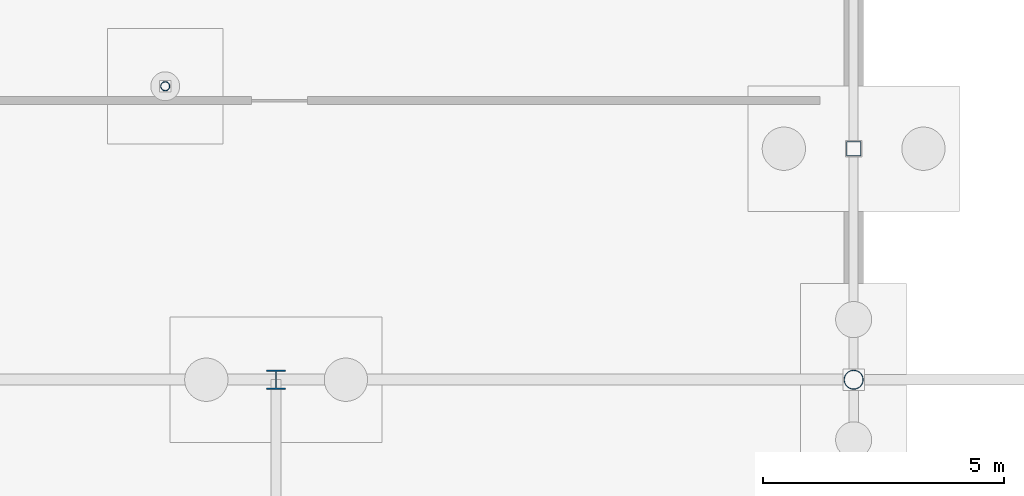
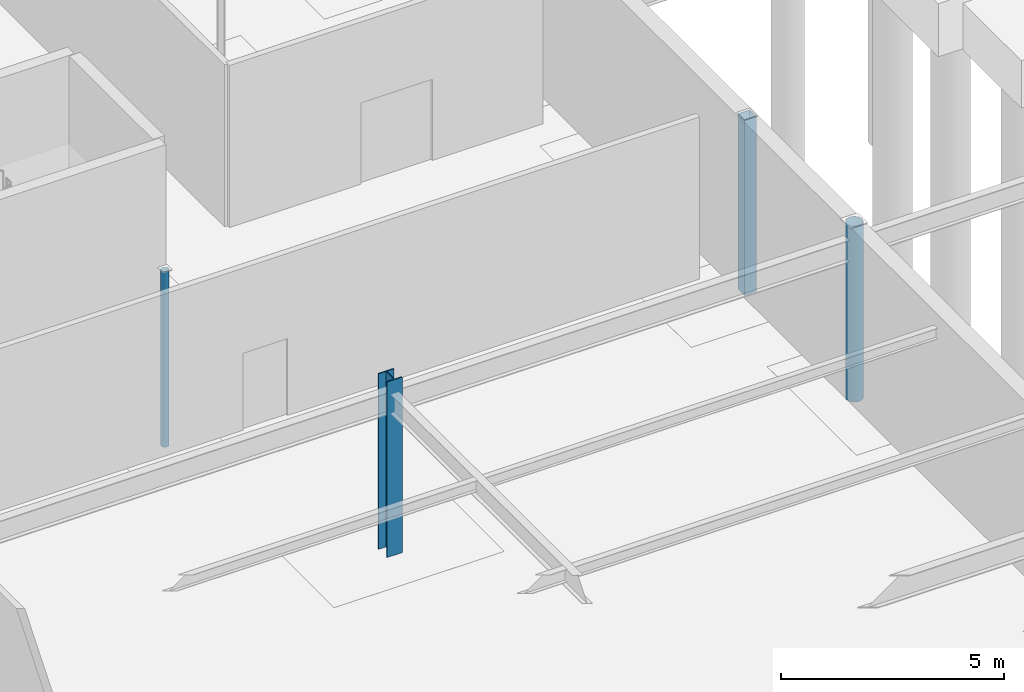
# One storey, part 61 of 136: 4 columns.
"""IFC4 building model written with IfcOpenShell, lengths in metres."""

from ifc_helpers import new_model, si_unit, direction, frame, origin, origin_2d, place, context, subcontext, project, spatial, hollow_rectangle, hollow_circle, i_section, extrude, material, material_profile, profile_set, type_object, element, save


model = new_model("IFC4")

# Units and contexts
model_context = context("Model", 3, precision=1e-05, world=origin(), true_north=direction((0.0, 1.0)))
body_context = subcontext(model_context, "Body", "Model", "MODEL_VIEW")
ifc_project = project(units=[si_unit("LENGTHUNIT", "METRE"), si_unit("AREAUNIT", "SQUARE_METRE"), si_unit("VOLUMEUNIT", "CUBIC_METRE"), si_unit("PLANEANGLEUNIT", "RADIAN"), si_unit("MASSUNIT", "GRAM", prefix="KILO")], contexts=[model_context])

# Site, building, storey
site_placement = place(None, origin())
site = spatial("IfcSite", under=ifc_project, at=site_placement, CompositionType="ELEMENT")
building_placement = place(site_placement, origin())
building = spatial("IfcBuilding", under=site, at=building_placement, Name="Tarnwether General Hospital", CompositionType="ELEMENT")
storey_placement = place(building_placement, frame((0.0, 0.0, -4.800048828125)))
storey = spatial("IfcBuildingStorey", under=building, at=storey_placement, Name="LG", CompositionType="ELEMENT", Elevation=-4.800048828125)

# Columns
ifc_material_1 = material(Name="Steel Grade 350 (350 MPa)", Category="steel")
ifc_material_profile_1 = material_profile(ifc_material_1, i_section(OverallWidth=0.39990234375, OverallDepth=0.39990234375, WebThickness=0.02001953125, FlangeThickness=0.028076171875, at=origin_2d()), Name="400WC270")
ifc_profile_set_1 = profile_set([ifc_material_profile_1], Name="Steel Grade 350 (350 MPa)")
column_type_1 = type_object("IfcColumnType", Name="COL-02", PredefinedType="COLUMN", material=ifc_profile_set_1)
column_1_placement = place(storey_placement, frame((120.0, 93.60009765625, 0.0), z_axis=(0.0, 0.0, 1.0), x_axis=(1.0, 0.0, 0.0)))
element("IfcColumn", 1, at=column_1_placement, inside=storey, type_object=column_type_1, Name="Column COLG-LG-12000_9360", PredefinedType="COLUMN", context=body_context, shape_type="SweptSolid", body=[
    extrude(i_section(OverallWidth=0.39990234375, OverallDepth=0.39990234375, WebThickness=0.02001953125, FlangeThickness=0.028076171875, at=origin_2d()), origin(), (0.0, 0.0, 1.0), 4.800048828125),
])
ifc_material_2 = material(Name="Steel Grade C350L0 (350 MPa)", Category="steel")
ifc_material_profile_2 = material_profile(ifc_material_2, hollow_circle(Radius=0.203125, WallThickness=0.01611328125, at=origin_2d()), Name="CHS406.4x16.0")
ifc_profile_set_2 = profile_set([ifc_material_profile_2], Name="Steel Grade C350L0 (350 MPa)")
column_type_2 = type_object("IfcColumnType", Name="COL-10", PredefinedType="COLUMN", material=ifc_profile_set_2)
column_2_placement = place(storey_placement, frame((132.0, 93.60009765625, 0.0), z_axis=(0.0, 0.0, 1.0), x_axis=(0.0, 1.0, 0.0)))
element("IfcColumn", 2, at=column_2_placement, inside=storey, type_object=column_type_2, Name="Column COLG-LG-13200_9360", PredefinedType="COLUMN", context=body_context, shape_type="SweptSolid", body=[
    extrude(hollow_circle(Radius=0.203125, WallThickness=0.01611328125, at=origin_2d()), origin(), (0.0, 0.0, 1.0), 4.800048828125),
])
ifc_material_3 = material(Name="Steel Grade C350L0 (350 MPa)", Category="steel")
ifc_material_profile_3 = material_profile(ifc_material_3, hollow_circle(Radius=0.096923828125, WallThickness=0.008056640625, at=origin_2d()), Name="CHS193.7x8.0")
ifc_profile_set_3 = profile_set([ifc_material_profile_3], Name="Steel Grade C350L0 (350 MPa)")
column_type_3 = type_object("IfcColumnType", Name="COL-29", PredefinedType="COLUMN", material=ifc_profile_set_3)
column_3_placement = place(storey_placement, frame((117.696044921875, 99.697998046875, 0.0), z_axis=(0.0, 0.0, 1.0), x_axis=(0.573576436351, 0.819152044289, 0.0)))
element("IfcColumn", 3, at=column_3_placement, inside=storey, type_object=column_type_3, Name="Column COLG-LG-11770_9970", PredefinedType="COLUMN", context=body_context, shape_type="SweptSolid", body=[
    extrude(hollow_circle(Radius=0.096923828125, WallThickness=0.008056640625, at=origin_2d()), origin(), (0.0, 0.0, 1.0), 4.800048828125),
])
ifc_material_4 = material(Name="Steel Grade C350L0 (350 MPa)", Category="steel")
ifc_material_profile_4 = material_profile(ifc_material_4, hollow_rectangle(XDim=0.300048828125, YDim=0.300048828125, WallThickness=0.012451171875, at=origin_2d()), Name="SHS300x300x12.5")
ifc_profile_set_4 = profile_set([ifc_material_profile_4], Name="Steel Grade C350L0 (350 MPa)")
column_type_4 = type_object("IfcColumnType", Name="COL-30", PredefinedType="COLUMN", material=ifc_profile_set_4)
column_4_placement = place(storey_placement, frame((132.0, 98.39990234375, 0.0), z_axis=(0.0, 0.0, 1.0), x_axis=(1.0, 0.0, 0.0)))
element("IfcColumn", 4, at=column_4_placement, inside=storey, type_object=column_type_4, Name="Column COLG-LG-13200_9840", PredefinedType="COLUMN", context=body_context, shape_type="SweptSolid", body=[
    extrude(hollow_rectangle(XDim=0.300048828125, YDim=0.300048828125, WallThickness=0.012451171875, at=origin_2d()), origin(), (0.0, 0.0, 1.0), 4.800048828125),
])

save(model, "model.ifc")
